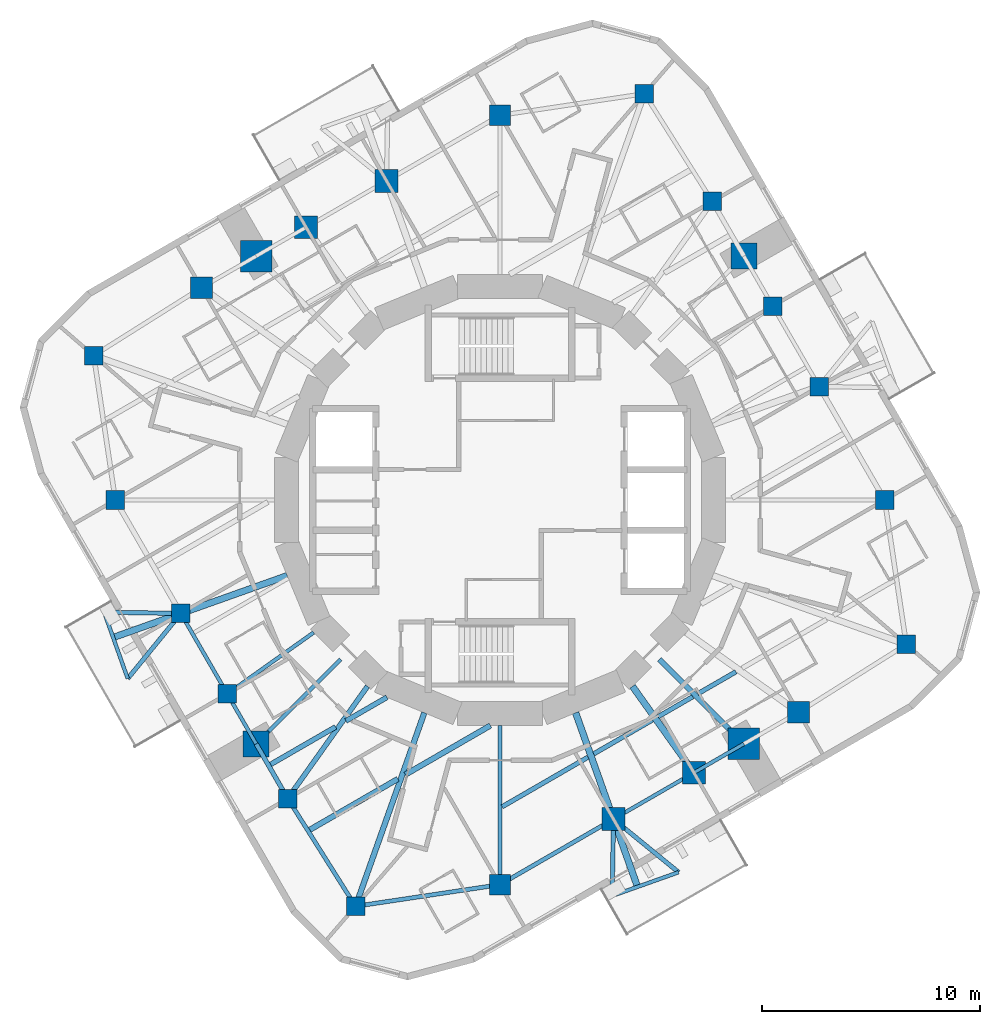
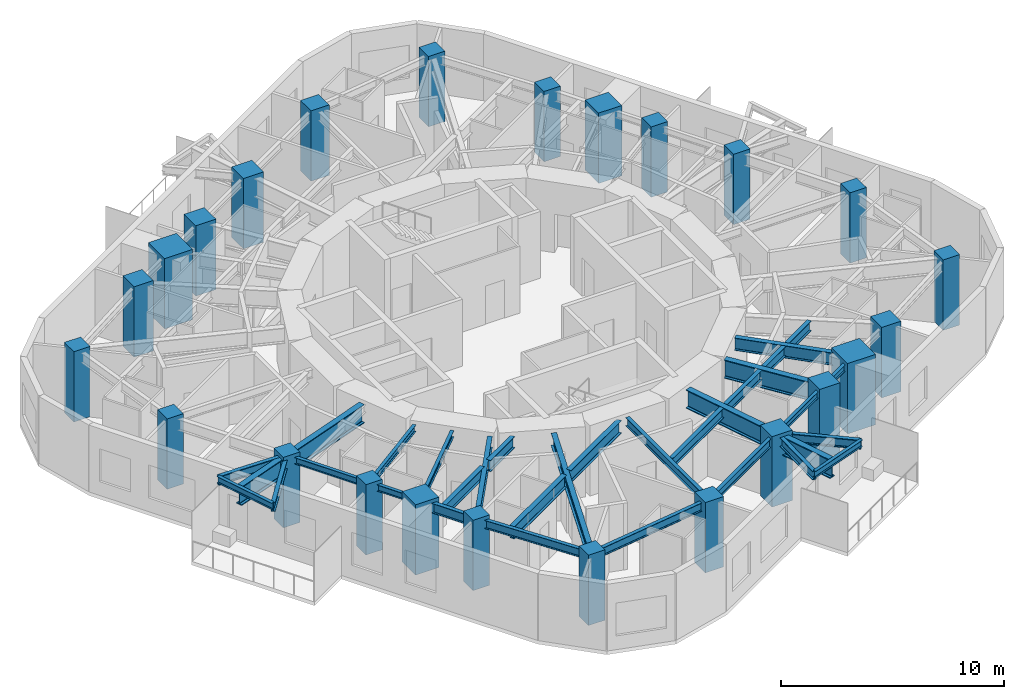
# One storey, part 1 of 12: 31 beams, 24 columns.
"""IFC4 building model written with IfcOpenShell, lengths in metres."""

from ifc_helpers import new_model, si_unit, direction, frame, origin, origin_2d, place, context, subcontext, project, spatial, rectangle, i_section, extrude, material, material_profile, profile_set, type_object, element, save


model = new_model("IFC4")

# Units and contexts
model_context = context("Model", 3, precision=1e-05, world=origin(), true_north=direction((0.0, 1.0)))
body_context = subcontext(model_context, "Body", "Model", "MODEL_VIEW")
ifc_project = project(units=[si_unit("LENGTHUNIT", "METRE"), si_unit("AREAUNIT", "SQUARE_METRE"), si_unit("VOLUMEUNIT", "CUBIC_METRE"), si_unit("PLANEANGLEUNIT", "RADIAN"), si_unit("MASSUNIT", "GRAM", prefix="KILO")], contexts=[model_context])

# Site, building, storey
site_placement = place(None, origin())
site = spatial("IfcSite", under=ifc_project, at=site_placement, CompositionType="ELEMENT")
building_placement = place(site_placement, origin())
building = spatial("IfcBuilding", under=site, at=building_placement, Name="Nakasero Lantern House", CompositionType="ELEMENT")
storey_placement = place(building_placement, frame((0.0, 0.0, 226.949951171875)))
storey = spatial("IfcBuildingStorey", under=building, at=storey_placement, Name="L55", CompositionType="ELEMENT", Elevation=226.949951171875)

# Columns
ifc_material_1 = material(Name="Concrete C45/55", Category="concrete")
ifc_material_profile_1 = material_profile(ifc_material_1, rectangle(XDim=1.199951171875, YDim=1.199951171875, at=origin_2d()), Name="RC 1200x1200")
ifc_profile_set_1 = profile_set([ifc_material_profile_1], Name="Concrete C45/55")
column_type_1 = type_object("IfcColumnType", Name="Mega column RC 1200x1200 C45/55", PredefinedType="COLUMN", material=ifc_profile_set_1)
for number, where, z_axis, x_axis, name in (
    (1, (11.200439453125, 11.200439453125, 0.0), (0.0, 0.0, 1.0), (1.0, 0.0, 0.0), "Column B6-C06 L55"),
    (2, (-11.200439453125, -11.200439453125, 0.0), (0.0, 0.0, 1.0), (1.0, 0.0, 0.0), "Column B6-C18 L55"),
):
    element("IfcColumn", number, at=place(storey_placement, frame(where, z_axis=z_axis, x_axis=x_axis)), inside=storey, type_object=column_type_1, Name=name, PredefinedType="COLUMN", context=body_context, shape_type="SweptSolid", body=[
        extrude(rectangle(XDim=1.199951171875, YDim=1.199951171875, at=origin_2d()), origin(), (0.0, 0.0, 1.0), 3.85009765625),
    ])
ifc_material_2 = material(Name="Concrete C45/55", Category="concrete")
ifc_material_profile_2 = material_profile(ifc_material_2, rectangle(XDim=1.449951171875, YDim=1.449951171875, at=origin_2d()), Name="RC 1450x1450")
ifc_profile_set_2 = profile_set([ifc_material_profile_2], Name="Concrete C45/55")
column_type_2 = type_object("IfcColumnType", Name="Mega column RC 1450x1450 C45/55", PredefinedType="COLUMN", material=ifc_profile_set_2)
for number, where, z_axis, x_axis, name in (
    (3, (-11.200439453125, 11.200439453125, 0.0), (0.0, 0.0, 1.0), (1.0, 0.0, 0.0), "Column B6-C12 L55"),
    (4, (11.200439453125, -11.200439453125, 0.0), (0.0, 0.0, 1.0), (1.0, 0.0, 0.0), "Column B6-C24 L55"),
):
    element("IfcColumn", number, at=place(storey_placement, frame(where, z_axis=z_axis, x_axis=x_axis)), inside=storey, type_object=column_type_2, Name=name, PredefinedType="COLUMN", context=body_context, shape_type="SweptSolid", body=[
        extrude(rectangle(XDim=1.449951171875, YDim=1.449951171875, at=origin_2d()), origin(), (0.0, 0.0, 1.0), 3.85009765625),
    ])
ifc_material_3 = material(Name="Concrete C45/55", Category="concrete")
ifc_material_profile_3 = material_profile(ifc_material_3, rectangle(XDim=1.0, YDim=1.0, at=origin_2d()), Name="RC 1000x1000")
ifc_profile_set_3 = profile_set([ifc_material_profile_3], Name="Concrete C45/55")
column_type_3 = type_object("IfcColumnType", Name="Ring column RC 1000x1000 C45/55", PredefinedType="COLUMN", material=ifc_profile_set_3)
for number, where, z_axis, x_axis, name in (
    (5, (13.711669921875, -9.75048828125, 0.0), (0.0, 0.0, 1.0), (1.0, 0.0, 0.0), "Column B6-C01 L55"),
    (6, (-13.711669921875, 9.75048828125, 0.0), (0.0, 0.0, 1.0), (1.0, 0.0, 0.0), "Column B6-C13 L55"),
):
    element("IfcColumn", number, at=place(storey_placement, frame(where, z_axis=z_axis, x_axis=x_axis)), inside=storey, type_object=column_type_3, Name=name, PredefinedType="COLUMN", context=body_context, shape_type="SweptSolid", body=[
        extrude(rectangle(XDim=1.0, YDim=1.0, at=origin_2d()), origin(), (0.0, 0.0, 1.0), 3.85009765625),
    ])
ifc_material_4 = material(Name="Concrete C45/55", Category="concrete")
ifc_material_profile_4 = material_profile(ifc_material_4, rectangle(XDim=1.050048828125, YDim=1.050048828125, at=origin_2d()), Name="RC 1050x1050")
ifc_profile_set_4 = profile_set([ifc_material_profile_4], Name="Concrete C45/55")
column_type_4 = type_object("IfcColumnType", Name="Ring column RC 1050x1050 C45/55", PredefinedType="COLUMN", material=ifc_profile_set_4)
for number, where, z_axis, x_axis, name in (
    (7, (-5.211669921875, 14.657958984375, 0.0), (0.0, 0.0, 1.0), (1.0, 0.0, 0.0), "Column B6-C10 L55"),
    (8, (-8.906494140625, 12.524658203125, 0.0), (0.0, 0.0, 1.0), (1.0, 0.0, 0.0), "Column B6-C11 L55"),
    (9, (5.211669921875, -14.657958984375, 0.0), (0.0, 0.0, 1.0), (1.0, 0.0, 0.0), "Column B6-C22 L55"),
    (10, (8.906494140625, -12.524658203125, 0.0), (0.0, 0.0, 1.0), (1.0, 0.0, 0.0), "Column B6-C23 L55"),
):
    element("IfcColumn", number, at=place(storey_placement, frame(where, z_axis=z_axis, x_axis=x_axis)), inside=storey, type_object=column_type_4, Name=name, PredefinedType="COLUMN", context=body_context, shape_type="SweptSolid", body=[
        extrude(rectangle(XDim=1.050048828125, YDim=1.050048828125, at=origin_2d()), origin(), (0.0, 0.0, 1.0), 3.85009765625),
    ])
ifc_material_5 = material(Name="Concrete C45/55", Category="concrete")
ifc_material_profile_5 = material_profile(ifc_material_5, rectangle(XDim=0.85009765625, YDim=0.85009765625, at=origin_2d()), Name="RC 850x850")
ifc_profile_set_5 = profile_set([ifc_material_profile_5], Name="Concrete C45/55")
column_type_5 = type_object("IfcColumnType", Name="Ring column RC 850x850 C45/55", PredefinedType="COLUMN", material=ifc_profile_set_5)
for number, where, z_axis, x_axis, name in (
    (11, (18.661376953125, -6.63525390625, 0.0), (0.0, 0.0, 1.0), (1.0, 0.0, 0.0), "Column B6-C02 L55"),
    (12, (17.6669921875, 0.0, 0.0), (0.0, 0.0, 1.0), (1.0, 0.0, 0.0), "Column B6-C03 L55"),
    (13, (14.657958984375, 5.211669921875, 0.0), (0.0, 0.0, 1.0), (1.0, 0.0, 0.0), "Column B6-C04 L55"),
    (14, (12.524658203125, 8.906494140625, 0.0), (0.0, 0.0, 1.0), (1.0, 0.0, 0.0), "Column B6-C05 L55"),
    (15, (9.75048828125, 13.711669921875, 0.0), (0.0, 0.0, 1.0), (1.0, 0.0, 0.0), "Column B6-C07 L55"),
    (16, (6.63525390625, 18.661376953125, 0.0), (0.0, 0.0, 1.0), (1.0, 0.0, 0.0), "Column B6-C08 L55"),
    (17, (-18.661376953125, 6.63525390625, 0.0), (0.0, 0.0, 1.0), (1.0, 0.0, 0.0), "Column B6-C14 L55"),
    (18, (-17.6669921875, 0.0, 0.0), (0.0, 0.0, 1.0), (1.0, 0.0, 0.0), "Column B6-C15 L55"),
    (19, (-14.657958984375, -5.211669921875, 0.0), (0.0, 0.0, 1.0), (1.0, 0.0, 0.0), "Column B6-C16 L55"),
    (20, (-12.524658203125, -8.906494140625, 0.0), (0.0, 0.0, 1.0), (1.0, 0.0, 0.0), "Column B6-C17 L55"),
    (21, (-9.75048828125, -13.711669921875, 0.0), (0.0, 0.0, 1.0), (1.0, 0.0, 0.0), "Column B6-C19 L55"),
    (22, (-6.63525390625, -18.661376953125, 0.0), (0.0, 0.0, 1.0), (1.0, 0.0, 0.0), "Column B6-C20 L55"),
):
    element("IfcColumn", number, at=place(storey_placement, frame(where, z_axis=z_axis, x_axis=x_axis)), inside=storey, type_object=column_type_5, Name=name, PredefinedType="COLUMN", context=body_context, shape_type="SweptSolid", body=[
        extrude(rectangle(XDim=0.85009765625, YDim=0.85009765625, at=origin_2d()), origin(), (0.0, 0.0, 1.0), 3.85009765625),
    ])
ifc_material_6 = material(Name="Concrete C45/55", Category="concrete")
ifc_material_profile_6 = material_profile(ifc_material_6, rectangle(XDim=0.949951171875, YDim=0.949951171875, at=origin_2d()), Name="RC 950x950")
ifc_profile_set_6 = profile_set([ifc_material_profile_6], Name="Concrete C45/55")
column_type_6 = type_object("IfcColumnType", Name="Ring column RC 950x950 C45/55", PredefinedType="COLUMN", material=ifc_profile_set_6)
for number, where, z_axis, x_axis, name in (
    (23, (0.0, 17.6669921875, 0.0), (0.0, 0.0, 1.0), (1.0, 0.0, 0.0), "Column B6-C09 L55"),
    (24, (0.0, -17.6669921875, 0.0), (0.0, 0.0, 1.0), (1.0, 0.0, 0.0), "Column B6-C21 L55"),
):
    element("IfcColumn", number, at=place(storey_placement, frame(where, z_axis=z_axis, x_axis=x_axis)), inside=storey, type_object=column_type_6, Name=name, PredefinedType="COLUMN", context=body_context, shape_type="SweptSolid", body=[
        extrude(rectangle(XDim=0.949951171875, YDim=0.949951171875, at=origin_2d()), origin(), (0.0, 0.0, 1.0), 3.85009765625),
    ])

# Beams
ifc_material_7 = material(Name="Steel S355", Category="steel")
ifc_material_profile_7 = material_profile(ifc_material_7, i_section(OverallWidth=0.199462890625, OverallDepth=0.491943359375, WebThickness=0.01806640625, FlangeThickness=0.031982421875, FilletRadius=0.01025390625, at=origin_2d()), Name="UB 457x191x161")
ifc_profile_set_7 = profile_set([ifc_material_profile_7], Name="Steel S355")
beam_type_1 = type_object("IfcBeamType", Name="Balcony splay beam UB 457x191x161", PredefinedType="BEAM", material=ifc_profile_set_7)
beam_1_placement = place(storey_placement, frame((-14.657958984375, -5.211669921875, 3.404052734375), z_axis=(-0.632127727159, -0.774864205236, 0.0), x_axis=(0.774864205236, -0.632127727159, 0.0)))
element("IfcBeam", 25, at=beam_1_placement, inside=storey, type_object=beam_type_1, Name="Balcony splay beam L56 B6-C16A", PredefinedType="BEAM", context=body_context, shape_type="SweptSolid", body=[
    extrude(i_section(OverallWidth=0.199462890625, OverallDepth=0.491943359375, WebThickness=0.01806640625, FlangeThickness=0.031982421875, FilletRadius=0.01025390625, at=origin_2d()), origin(), (0.0, 0.0, 1.0), 3.858642578125),
])
beam_2_placement = place(storey_placement, frame((-14.657958984375, -5.211669921875, 3.404052734375), z_axis=(-0.99985827803, 0.016835196893, 0.0), x_axis=(-0.016835196893, -0.99985827803, 0.0)))
element("IfcBeam", 26, at=beam_2_placement, inside=storey, type_object=beam_type_1, Name="Balcony splay beam L56 B6-C16B", PredefinedType="BEAM", context=body_context, shape_type="SweptSolid", body=[
    extrude(i_section(OverallWidth=0.199462890625, OverallDepth=0.491943359375, WebThickness=0.01806640625, FlangeThickness=0.031982421875, FilletRadius=0.01025390625, at=origin_2d()), origin(), (0.0, 0.0, 1.0), 3.52392578125),
])
beam_3_placement = place(storey_placement, frame((5.211669921875, -14.657958984375, 3.404052734375), z_axis=(0.774864205236, -0.632127727159, 0.0), x_axis=(0.632127727159, 0.774864205236, 0.0)))
element("IfcBeam", 27, at=beam_3_placement, inside=storey, type_object=beam_type_1, Name="Balcony splay beam L56 B6-C22A", PredefinedType="BEAM", context=body_context, shape_type="SweptSolid", body=[
    extrude(i_section(OverallWidth=0.199462890625, OverallDepth=0.491943359375, WebThickness=0.01806640625, FlangeThickness=0.031982421875, FilletRadius=0.01025390625, at=origin_2d()), origin(), (0.0, 0.0, 1.0), 3.858642578125),
])
beam_4_placement = place(storey_placement, frame((5.211669921875, -14.657958984375, 3.404052734375), z_axis=(-0.016835196893, -0.99985827803, 0.0), x_axis=(0.99985827803, -0.016835196893, 0.0)))
element("IfcBeam", 28, at=beam_4_placement, inside=storey, type_object=beam_type_1, Name="Balcony splay beam L56 B6-C22B", PredefinedType="BEAM", context=body_context, shape_type="SweptSolid", body=[
    extrude(i_section(OverallWidth=0.199462890625, OverallDepth=0.491943359375, WebThickness=0.01806640625, FlangeThickness=0.031982421875, FilletRadius=0.01025390625, at=origin_2d()), origin(), (0.0, 0.0, 1.0), 3.52392578125),
])
ifc_material_8 = material(Name="Steel S355", Category="steel")
ifc_material_profile_8 = material_profile(ifc_material_8, i_section(OverallWidth=0.17138671875, OverallDepth=0.35498046875, WebThickness=0.00732421875, FlangeThickness=0.011474609375, FilletRadius=0.01025390625, at=origin_2d()), Name="UB 356x171x51")
ifc_profile_set_8 = profile_set([ifc_material_profile_8], Name="Steel S355")
beam_type_2 = type_object("IfcBeamType", Name="Balcony tie beam UB 356x171x51", PredefinedType="BEAM", material=ifc_profile_set_8)
for number, where, z_axis, x_axis, name in (
    (29, (-17.09716796875, -8.20166015625, 3.47265625), (-0.335017108852, 0.942212044487, 0.0), (-0.942212044487, -0.335017108852, 0.0), "Balcony tie beam L56 B6-C16"),
    (30, (8.20166015625, -17.09716796875, 3.47265625), (-0.942212044487, -0.335017108852, 0.0), (0.335017108852, -0.942212044487, 0.0), "Balcony tie beam L56 B6-C22"),
):
    element("IfcBeam", number, at=place(storey_placement, frame(where, z_axis=z_axis, x_axis=x_axis)), inside=storey, type_object=beam_type_2, Name=name, PredefinedType="BEAM", context=body_context, shape_type="SweptSolid", body=[
        extrude(i_section(OverallWidth=0.17138671875, OverallDepth=0.35498046875, WebThickness=0.00732421875, FlangeThickness=0.011474609375, FilletRadius=0.01025390625, at=origin_2d()), origin(), (0.0, 0.0, 1.0), 3.236328125),
    ])
ifc_material_9 = material(Name="Steel S355", Category="steel")
ifc_material_profile_9 = material_profile(ifc_material_9, i_section(OverallWidth=0.2099609375, OverallDepth=0.53662109375, WebThickness=0.0107421875, FlangeThickness=0.017333984375, FilletRadius=0.0126953125, at=origin_2d()), Name="UB 533x210x101")
ifc_profile_set_9 = profile_set([ifc_material_profile_9], Name="Steel S355")
beam_type_3 = type_object("IfcBeamType", Name="Infill beam UB 533x210x101", PredefinedType="JOIST", material=ifc_profile_set_9)
beam_5_placement = place(storey_placement, frame((0.095703125, -14.08984375, 3.381591796875), z_axis=(0.866023985275, 0.500002456923, 0.0), x_axis=(-0.500002456923, 0.866023985275, 0.0)))
element("IfcBeam", 31, at=beam_5_placement, inside=storey, type_object=beam_type_3, Name="Infill beam L56 03.1", PredefinedType="JOIST", context=body_context, shape_type="SweptSolid", body=[
    extrude(i_section(OverallWidth=0.2099609375, OverallDepth=0.53662109375, WebThickness=0.0107421875, FlangeThickness=0.017333984375, FilletRadius=0.0126953125, at=origin_2d()), origin(), (0.0, 0.0, 1.0), 4.5537109375),
])
beam_6_placement = place(storey_placement, frame((4.30615234375, -11.658935546875, 3.381591796875), z_axis=(0.866022192502, 0.500005562063, 0.0), x_axis=(-0.500005562063, 0.866022192502, 0.0)))
element("IfcBeam", 32, at=beam_6_placement, inside=storey, type_object=beam_type_3, Name="Infill beam L56 03.2", PredefinedType="JOIST", context=body_context, shape_type="SweptSolid", body=[
    extrude(i_section(OverallWidth=0.2099609375, OverallDepth=0.53662109375, WebThickness=0.0107421875, FlangeThickness=0.017333984375, FilletRadius=0.0126953125, at=origin_2d()), origin(), (0.0, 0.0, 1.0), 3.1103515625),
])
beam_7_placement = place(storey_placement, frame((7.262451171875, -9.9521484375, 3.381591796875), z_axis=(0.866010815813, 0.500025266256, 0.0), x_axis=(-0.500025266256, 0.866010815813, 0.0)))
element("IfcBeam", 33, at=beam_7_placement, inside=storey, type_object=beam_type_3, Name="Infill beam L56 03.3", PredefinedType="JOIST", context=body_context, shape_type="SweptSolid", body=[
    extrude(i_section(OverallWidth=0.2099609375, OverallDepth=0.53662109375, WebThickness=0.0107421875, FlangeThickness=0.017333984375, FilletRadius=0.0126953125, at=origin_2d()), origin(), (0.0, 0.0, 1.0), 1.837890625),
])
beam_8_placement = place(storey_placement, frame((9.081298828125, -8.90185546875, 3.381591796875), z_axis=(0.866039061512, 0.499976343375, 0.0), x_axis=(-0.499976343375, 0.866039061512, 0.0)))
element("IfcBeam", 34, at=beam_8_placement, inside=storey, type_object=beam_type_3, Name="Infill beam L56 03.4", PredefinedType="JOIST", context=body_context, shape_type="SweptSolid", body=[
    extrude(i_section(OverallWidth=0.2099609375, OverallDepth=0.53662109375, WebThickness=0.0107421875, FlangeThickness=0.017333984375, FilletRadius=0.0126953125, at=origin_2d()), origin(), (0.0, 0.0, 1.0), 2.025390625),
])
ifc_material_10 = material(Name="Steel S355", Category="steel")
ifc_material_profile_10 = material_profile(ifc_material_10, i_section(OverallWidth=0.22900390625, OverallDepth=0.6123046875, WebThickness=0.011962890625, FlangeThickness=0.01953125, FilletRadius=0.0126953125, at=origin_2d()), Name="UB 610x229x125")
ifc_profile_set_10 = profile_set([ifc_material_profile_10], Name="Steel S355")
beam_type_4 = type_object("IfcBeamType", Name="Infill beam UB 610x229x125", PredefinedType="JOIST", material=ifc_profile_set_10)
beam_9_placement = place(storey_placement, frame((-10.5341796875, -12.14404296875, 3.343994140625), z_axis=(0.866035643331, 0.499982264165, 0.0), x_axis=(-0.499982264165, 0.866035643331, 0.0)))
element("IfcBeam", 35, at=beam_9_placement, inside=storey, type_object=beam_type_4, Name="Infill beam L56 05.1", PredefinedType="JOIST", context=body_context, shape_type="SweptSolid", body=[
    extrude(i_section(OverallWidth=0.22900390625, OverallDepth=0.6123046875, WebThickness=0.011962890625, FlangeThickness=0.01953125, FilletRadius=0.0126953125, at=origin_2d()), origin(), (0.0, 0.0, 1.0), 3.443603515625),
])
beam_10_placement = place(storey_placement, frame((-7.0751953125, -10.14697265625, 3.343994140625), z_axis=(0.866043427695, 0.499968780372, 0.0), x_axis=(-0.499968780372, 0.866043427695, 0.0)))
element("IfcBeam", 36, at=beam_10_placement, inside=storey, type_object=beam_type_4, Name="Infill beam L56 05.2", PredefinedType="JOIST", context=body_context, shape_type="SweptSolid", body=[
    extrude(i_section(OverallWidth=0.22900390625, OverallDepth=0.6123046875, WebThickness=0.011962890625, FlangeThickness=0.01953125, FilletRadius=0.0126953125, at=origin_2d()), origin(), (0.0, 0.0, 1.0), 2.173583984375),
])
ifc_material_11 = material(Name="Steel S355", Category="steel")
ifc_material_profile_11 = material_profile(ifc_material_11, i_section(OverallWidth=0.253662109375, OverallDepth=0.68359375, WebThickness=0.012451171875, FlangeThickness=0.01904296875, FilletRadius=0.01513671875, at=origin_2d()), Name="UB 686x254x140")
ifc_profile_set_11 = profile_set([ifc_material_profile_11], Name="Steel S355")
beam_type_5 = type_object("IfcBeamType", Name="Infill beam UB 686x254x140", PredefinedType="JOIST", material=ifc_profile_set_11)
beam_11_placement = place(storey_placement, frame((-8.735107421875, -15.146728515625, 3.308349609375), z_axis=(0.866030607649, 0.499990986534, 0.0), x_axis=(-0.499990986534, 0.866030607649, 0.0)))
element("IfcBeam", 37, at=beam_11_placement, inside=storey, type_object=beam_type_5, Name="Infill beam L56 04.1", PredefinedType="JOIST", context=body_context, shape_type="SweptSolid", body=[
    extrude(i_section(OverallWidth=0.253662109375, OverallDepth=0.68359375, WebThickness=0.012451171875, FlangeThickness=0.01904296875, FilletRadius=0.01513671875, at=origin_2d()), origin(), (0.0, 0.0, 1.0), 4.66943359375),
])
beam_12_placement = place(storey_placement, frame((-4.349609375, -12.61474609375, 3.308349609375), z_axis=(0.86603787505, 0.499978398512, 0.0), x_axis=(-0.499978398512, 0.86603787505, 0.0)))
element("IfcBeam", 38, at=beam_12_placement, inside=storey, type_object=beam_type_5, Name="Infill beam L56 04.2", PredefinedType="JOIST", context=body_context, shape_type="SweptSolid", body=[
    extrude(i_section(OverallWidth=0.253662109375, OverallDepth=0.68359375, WebThickness=0.012451171875, FlangeThickness=0.01904296875, FilletRadius=0.01513671875, at=origin_2d()), origin(), (0.0, 0.0, 1.0), 4.513916015625),
])
ifc_material_12 = material(Name="Steel S355", Category="steel")
ifc_material_profile_12 = material_profile(ifc_material_12, i_section(OverallWidth=0.302001953125, OverallDepth=1.008056640625, WebThickness=0.02099609375, FlangeThickness=0.0400390625, FilletRadius=0.030029296875, at=origin_2d()), Name="UB 1016x305x349")
ifc_profile_set_12 = profile_set([ifc_material_profile_12], Name="Steel S355")
beam_type_6 = type_object("IfcBeamType", Name="Primary beam UB 1016x305x349, span to 6 m", PredefinedType="BEAM", material=ifc_profile_set_12)
beam_13_placement = place(storey_placement, frame((8.906494140625, -12.524658203125, 3.14599609375), z_axis=(-0.579513415446, 0.814962699342, 0.0), x_axis=(-0.814962699342, -0.579513415446, 0.0)))
element("IfcBeam", 39, at=beam_13_placement, inside=storey, type_object=beam_type_6, Name="Primary beam L56 B6-C23", PredefinedType="BEAM", context=body_context, shape_type="SweptSolid", body=[
    extrude(i_section(OverallWidth=0.302001953125, OverallDepth=1.008056640625, WebThickness=0.02099609375, FlangeThickness=0.0400390625, FilletRadius=0.030029296875, at=origin_2d()), origin(), (0.0, 0.0, 1.0), 4.8642578125),
])
ifc_material_13 = material(Name="Steel S355", Category="steel")
ifc_material_profile_13 = material_profile(ifc_material_13, i_section(OverallWidth=0.302978515625, OverallDepth=1.015869140625, WebThickness=0.0244140625, FlangeThickness=0.0439453125, FilletRadius=0.030029296875, at=origin_2d()), Name="UB 1016x305x393")
ifc_profile_set_13 = profile_set([ifc_material_profile_13], Name="Steel S355")
beam_type_7 = type_object("IfcBeamType", Name="Primary beam UB 1016x305x393, span to 6 m", PredefinedType="BEAM", material=ifc_profile_set_13)
for number, where, z_axis, x_axis, name in (
    (40, (-17.767333984375, -6.317138671875, 3.14208984375), (0.94222457875, 0.33498185503, 0.0), (-0.33498185503, 0.94222457875, 0.0), "Primary beam L56 B6-C16"),
    (41, (6.317138671875, -17.767333984375, 3.14208984375), (-0.33498185503, 0.94222457875, 0.0), (-0.94222457875, -0.33498185503, 0.0), "Primary beam L56 B6-C22"),
):
    element("IfcBeam", number, at=place(storey_placement, frame(where, z_axis=z_axis, x_axis=x_axis)), inside=storey, type_object=beam_type_7, Name=name, PredefinedType="BEAM", context=body_context, shape_type="SweptSolid", body=[
        extrude(i_section(OverallWidth=0.302978515625, OverallDepth=1.015869140625, WebThickness=0.0244140625, FlangeThickness=0.0439453125, FilletRadius=0.030029296875, at=origin_2d()), origin(), (0.0, 0.0, 1.0), 8.485595703125),
    ])
ifc_material_14 = material(Name="Steel S355", Category="steel")
ifc_material_profile_14 = material_profile(ifc_material_14, i_section(OverallWidth=0.17138671875, OverallDepth=0.35498046875, WebThickness=0.00732421875, FlangeThickness=0.011474609375, FilletRadius=0.01025390625, at=origin_2d()), Name="UB 356x171x51")
ifc_profile_set_14 = profile_set([ifc_material_profile_14], Name="Steel S355")
beam_type_8 = type_object("IfcBeamType", Name="Primary beam UB 356x171x51, span to 6 m", PredefinedType="BEAM", material=ifc_profile_set_14)
beam_14_placement = place(storey_placement, frame((-12.524658203125, -8.906494140625, 3.47265625), z_axis=(0.814962699342, 0.579513415446, 0.0), x_axis=(-0.579513415446, 0.814962699342, 0.0)))
element("IfcBeam", 42, at=beam_14_placement, inside=storey, type_object=beam_type_8, Name="Primary beam L56 B6-C17", PredefinedType="BEAM", context=body_context, shape_type="SweptSolid", body=[
    extrude(i_section(OverallWidth=0.17138671875, OverallDepth=0.35498046875, WebThickness=0.00732421875, FlangeThickness=0.011474609375, FilletRadius=0.01025390625, at=origin_2d()), origin(), (0.0, 0.0, 1.0), 4.8642578125),
])
beam_15_placement = place(storey_placement, frame((-11.200439453125, -11.200439453125, 3.47265625), z_axis=(0.707106781187, 0.707106781187, 0.0), x_axis=(-0.707106781187, 0.707106781187, 0.0)))
element("IfcBeam", 43, at=beam_15_placement, inside=storey, type_object=beam_type_8, Name="Primary beam L56 B6-C18", PredefinedType="BEAM", context=body_context, shape_type="SweptSolid", body=[
    extrude(i_section(OverallWidth=0.17138671875, OverallDepth=0.35498046875, WebThickness=0.00732421875, FlangeThickness=0.011474609375, FilletRadius=0.01025390625, at=origin_2d()), origin(), (0.0, 0.0, 1.0), 5.481689453125),
])
ifc_material_15 = material(Name="Steel S355", Category="steel")
ifc_material_profile_15 = material_profile(ifc_material_15, i_section(OverallWidth=0.19140625, OverallDepth=0.4599609375, WebThickness=0.010009765625, FlangeThickness=0.01611328125, FilletRadius=0.01025390625, at=origin_2d()), Name="UB 457x191x82")
ifc_profile_set_15 = profile_set([ifc_material_profile_15], Name="Steel S355")
beam_type_9 = type_object("IfcBeamType", Name="Primary beam UB 457x191x82, span 6 to 9 m", PredefinedType="BEAM", material=ifc_profile_set_15)
beam_16_placement = place(storey_placement, frame((0.0, -17.6669921875, 3.420166015625), z_axis=(0.0, 1.0, 0.0), x_axis=(-1.0, 0.0, 0.0)))
element("IfcBeam", 44, at=beam_16_placement, inside=storey, type_object=beam_type_9, Name="Primary beam L56 B6-C21", PredefinedType="BEAM", context=body_context, shape_type="SweptSolid", body=[
    extrude(i_section(OverallWidth=0.19140625, OverallDepth=0.4599609375, WebThickness=0.010009765625, FlangeThickness=0.01611328125, FilletRadius=0.01025390625, at=origin_2d()), origin(), (0.0, 0.0, 1.0), 7.30908203125),
])
ifc_material_16 = material(Name="Steel S355", Category="steel")
ifc_material_profile_16 = material_profile(ifc_material_16, i_section(OverallWidth=0.22900390625, OverallDepth=0.6123046875, WebThickness=0.011962890625, FlangeThickness=0.01953125, FilletRadius=0.0126953125, at=origin_2d()), Name="UB 610x229x125")
ifc_profile_set_16 = profile_set([ifc_material_profile_16], Name="Steel S355")
beam_type_10 = type_object("IfcBeamType", Name="Primary beam UB 610x229x125, span 6 to 9 m", PredefinedType="BEAM", material=ifc_profile_set_16)
beam_17_placement = place(storey_placement, frame((-9.75048828125, -13.711669921875, 3.343994140625), z_axis=(0.579504973637, 0.814968702178, 0.0), x_axis=(-0.814968702178, 0.579504973637, 0.0)))
element("IfcBeam", 45, at=beam_17_placement, inside=storey, type_object=beam_type_10, Name="Primary beam L56 B6-C19", PredefinedType="BEAM", context=body_context, shape_type="SweptSolid", body=[
    extrude(i_section(OverallWidth=0.22900390625, OverallDepth=0.6123046875, WebThickness=0.011962890625, FlangeThickness=0.01953125, FilletRadius=0.0126953125, at=origin_2d()), origin(), (0.0, 0.0, 1.0), 6.320556640625),
])
ifc_material_17 = material(Name="Steel S355", Category="steel")
ifc_material_profile_17 = material_profile(ifc_material_17, i_section(OverallWidth=0.253662109375, OverallDepth=0.68359375, WebThickness=0.012451171875, FlangeThickness=0.01904296875, FilletRadius=0.01513671875, at=origin_2d()), Name="UB 686x254x140")
ifc_profile_set_17 = profile_set([ifc_material_profile_17], Name="Steel S355")
beam_type_11 = type_object("IfcBeamType", Name="Primary beam UB 686x254x140, span to 6 m", PredefinedType="BEAM", material=ifc_profile_set_17)
beam_18_placement = place(storey_placement, frame((11.200439453125, -11.200439453125, 3.308349609375), z_axis=(-0.707106781187, 0.707106781187, 0.0), x_axis=(-0.707106781187, -0.707106781187, 0.0)))
element("IfcBeam", 46, at=beam_18_placement, inside=storey, type_object=beam_type_11, Name="Primary beam L56 B6-C24", PredefinedType="BEAM", context=body_context, shape_type="SweptSolid", body=[
    extrude(i_section(OverallWidth=0.253662109375, OverallDepth=0.68359375, WebThickness=0.012451171875, FlangeThickness=0.01904296875, FilletRadius=0.01513671875, at=origin_2d()), origin(), (0.0, 0.0, 1.0), 5.481689453125),
])
ifc_material_18 = material(Name="Steel S355", Category="steel")
ifc_material_profile_18 = material_profile(ifc_material_18, i_section(OverallWidth=0.255859375, OverallDepth=0.69287109375, WebThickness=0.014404296875, FlangeThickness=0.023681640625, FilletRadius=0.01513671875, at=origin_2d()), Name="UB 686x254x170")
ifc_profile_set_18 = profile_set([ifc_material_profile_18], Name="Steel S355")
beam_type_12 = type_object("IfcBeamType", Name="Primary beam UB 686x254x170, span 9 to 12 m", PredefinedType="BEAM", material=ifc_profile_set_18)
beam_19_placement = place(storey_placement, frame((-6.63525390625, -18.661376953125, 3.3037109375), z_axis=(0.335006604588, 0.942215779364, 0.0), x_axis=(-0.942215779364, 0.335006604588, 0.0)))
element("IfcBeam", 47, at=beam_19_placement, inside=storey, type_object=beam_type_12, Name="Primary beam L56 B6-C20", PredefinedType="BEAM", context=body_context, shape_type="SweptSolid", body=[
    extrude(i_section(OverallWidth=0.255859375, OverallDepth=0.69287109375, WebThickness=0.014404296875, FlangeThickness=0.023681640625, FilletRadius=0.01513671875, at=origin_2d()), origin(), (0.0, 0.0, 1.0), 9.4345703125),
])
ifc_material_19 = material(Name="Steel S355", Category="steel")
ifc_material_profile_19 = material_profile(ifc_material_19, i_section(OverallWidth=0.17138671875, OverallDepth=0.35498046875, WebThickness=0.00732421875, FlangeThickness=0.011474609375, FilletRadius=0.01025390625, at=origin_2d()), Name="UB 356x171x51")
ifc_profile_set_19 = profile_set([ifc_material_profile_19], Name="Steel S355")
beam_type_13 = type_object("IfcBeamType", Name="Ring beam UB 356x171x51", PredefinedType="BEAM", material=ifc_profile_set_19)
beam_20_placement = place(storey_placement, frame((-14.657958984375, -5.211669921875, 3.47265625), z_axis=(0.500016352561, -0.866015962423, 0.0), x_axis=(0.866015962423, 0.500016352561, 0.0)))
element("IfcBeam", 48, at=beam_20_placement, inside=storey, type_object=beam_type_13, Name="Ring beam L56 B6-C16", PredefinedType="BEAM", context=body_context, shape_type="SweptSolid", body=[
    extrude(i_section(OverallWidth=0.17138671875, OverallDepth=0.35498046875, WebThickness=0.00732421875, FlangeThickness=0.011474609375, FilletRadius=0.01025390625, at=origin_2d()), origin(), (0.0, 0.0, 1.0), 4.266357421875),
])
beam_21_placement = place(storey_placement, frame((-12.524658203125, -8.906494140625, 3.47265625), z_axis=(0.499945861543, -0.866056658381, 0.0), x_axis=(0.866056658381, 0.499945861543, 0.0)))
element("IfcBeam", 49, at=beam_21_placement, inside=storey, type_object=beam_type_13, Name="Ring beam L56 B6-C17", PredefinedType="BEAM", context=body_context, shape_type="SweptSolid", body=[
    extrude(i_section(OverallWidth=0.17138671875, OverallDepth=0.35498046875, WebThickness=0.00732421875, FlangeThickness=0.011474609375, FilletRadius=0.01025390625, at=origin_2d()), origin(), (0.0, 0.0, 1.0), 2.648681640625),
])
beam_22_placement = place(storey_placement, frame((5.211669921875, -14.657958984375, 3.47265625), z_axis=(0.866015962423, 0.500016352561, 0.0), x_axis=(-0.500016352561, 0.866015962423, 0.0)))
element("IfcBeam", 50, at=beam_22_placement, inside=storey, type_object=beam_type_13, Name="Ring beam L56 B6-C22", PredefinedType="BEAM", context=body_context, shape_type="SweptSolid", body=[
    extrude(i_section(OverallWidth=0.17138671875, OverallDepth=0.35498046875, WebThickness=0.00732421875, FlangeThickness=0.011474609375, FilletRadius=0.01025390625, at=origin_2d()), origin(), (0.0, 0.0, 1.0), 4.266357421875),
])
beam_23_placement = place(storey_placement, frame((8.906494140625, -12.524658203125, 3.47265625), z_axis=(0.866056658381, 0.499945861543, 0.0), x_axis=(-0.499945861543, 0.866056658381, 0.0)))
element("IfcBeam", 51, at=beam_23_placement, inside=storey, type_object=beam_type_13, Name="Ring beam L56 B6-C23", PredefinedType="BEAM", context=body_context, shape_type="SweptSolid", body=[
    extrude(i_section(OverallWidth=0.17138671875, OverallDepth=0.35498046875, WebThickness=0.00732421875, FlangeThickness=0.011474609375, FilletRadius=0.01025390625, at=origin_2d()), origin(), (0.0, 0.0, 1.0), 2.648681640625),
])
ifc_material_20 = material(Name="Steel S355", Category="steel")
ifc_material_profile_20 = material_profile(ifc_material_20, i_section(OverallWidth=0.18994140625, OverallDepth=0.453369140625, WebThickness=0.008544921875, FlangeThickness=0.0126953125, FilletRadius=0.01025390625, at=origin_2d()), Name="UB 457x191x67")
ifc_profile_set_20 = profile_set([ifc_material_profile_20], Name="Steel S355")
beam_type_14 = type_object("IfcBeamType", Name="Ring beam UB 457x191x67", PredefinedType="BEAM", material=ifc_profile_set_20)
beam_24_placement = place(storey_placement, frame((-9.75048828125, -13.711669921875, 3.42333984375), z_axis=(0.532660471024, -0.846329027393, 0.0), x_axis=(0.846329027393, 0.532660471024, 0.0)))
element("IfcBeam", 52, at=beam_24_placement, inside=storey, type_object=beam_type_14, Name="Ring beam L56 B6-C19", PredefinedType="BEAM", context=body_context, shape_type="SweptSolid", body=[
    extrude(i_section(OverallWidth=0.18994140625, OverallDepth=0.453369140625, WebThickness=0.008544921875, FlangeThickness=0.0126953125, FilletRadius=0.01025390625, at=origin_2d()), origin(), (0.0, 0.0, 1.0), 5.848388671875),
])
beam_25_placement = place(storey_placement, frame((0.0, -17.6669921875, 3.42333984375), z_axis=(0.866020066889, 0.50000924366, 0.0), x_axis=(-0.50000924366, 0.866020066889, 0.0)))
element("IfcBeam", 53, at=beam_25_placement, inside=storey, type_object=beam_type_14, Name="Ring beam L56 B6-C21", PredefinedType="BEAM", context=body_context, shape_type="SweptSolid", body=[
    extrude(i_section(OverallWidth=0.18994140625, OverallDepth=0.453369140625, WebThickness=0.008544921875, FlangeThickness=0.0126953125, FilletRadius=0.01025390625, at=origin_2d()), origin(), (0.0, 0.0, 1.0), 6.01806640625),
])
ifc_material_21 = material(Name="Steel S355", Category="steel")
ifc_material_profile_21 = material_profile(ifc_material_21, i_section(OverallWidth=0.19140625, OverallDepth=0.4599609375, WebThickness=0.010009765625, FlangeThickness=0.01611328125, FilletRadius=0.01025390625, at=origin_2d()), Name="UB 457x191x82")
ifc_profile_set_21 = profile_set([ifc_material_profile_21], Name="Steel S355")
beam_type_15 = type_object("IfcBeamType", Name="Ring beam UB 457x191x82", PredefinedType="BEAM", material=ifc_profile_set_21)
beam_26_placement = place(storey_placement, frame((-6.63525390625, -18.661376953125, 3.420166015625), z_axis=(0.988956095107, 0.148208778253, 0.0), x_axis=(-0.148208778253, 0.988956095107, 0.0)))
element("IfcBeam", 54, at=beam_26_placement, inside=storey, type_object=beam_type_15, Name="Ring beam L56 B6-C20", PredefinedType="BEAM", context=body_context, shape_type="SweptSolid", body=[
    extrude(i_section(OverallWidth=0.19140625, OverallDepth=0.4599609375, WebThickness=0.010009765625, FlangeThickness=0.01611328125, FilletRadius=0.01025390625, at=origin_2d()), origin(), (0.0, 0.0, 1.0), 6.70947265625),
])
ifc_material_22 = material(Name="Steel S355", Category="steel")
ifc_material_profile_22 = material_profile(ifc_material_22, i_section(OverallWidth=0.2099609375, OverallDepth=0.53662109375, WebThickness=0.0107421875, FlangeThickness=0.017333984375, FilletRadius=0.0126953125, at=origin_2d()), Name="UB 533x210x101")
ifc_profile_set_22 = profile_set([ifc_material_profile_22], Name="Steel S355")
beam_type_16 = type_object("IfcBeamType", Name="Ring beam UB 533x210x101", PredefinedType="BEAM", material=ifc_profile_set_22)
beam_27_placement = place(storey_placement, frame((-11.200439453125, -11.200439453125, 3.381591796875), z_axis=(0.500023687443, -0.866011727401, 0.0), x_axis=(0.866011727401, 0.500023687443, 0.0)))
element("IfcBeam", 55, at=beam_27_placement, inside=storey, type_object=beam_type_16, Name="Ring beam L56 B6-C18", PredefinedType="BEAM", context=body_context, shape_type="SweptSolid", body=[
    extrude(i_section(OverallWidth=0.2099609375, OverallDepth=0.53662109375, WebThickness=0.0107421875, FlangeThickness=0.017333984375, FilletRadius=0.0126953125, at=origin_2d()), origin(), (0.0, 0.0, 1.0), 2.899658203125),
])

save(model, "model.ifc")
